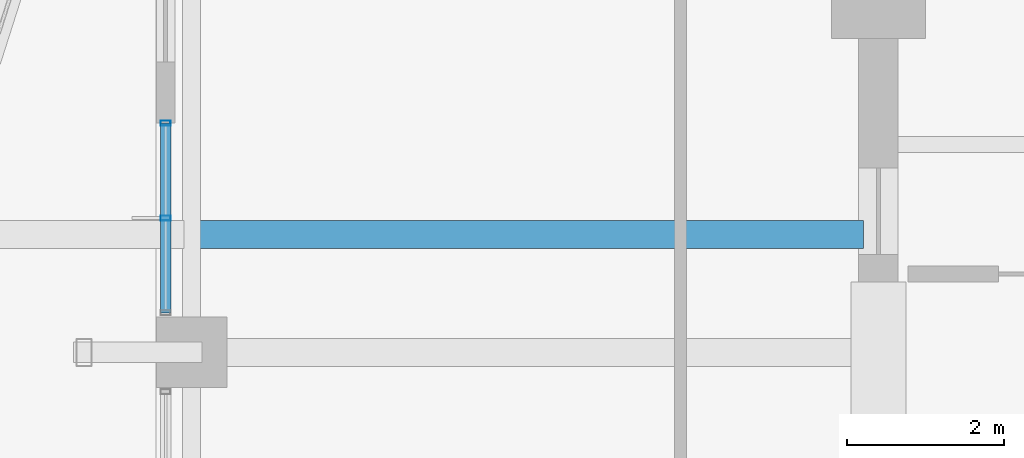
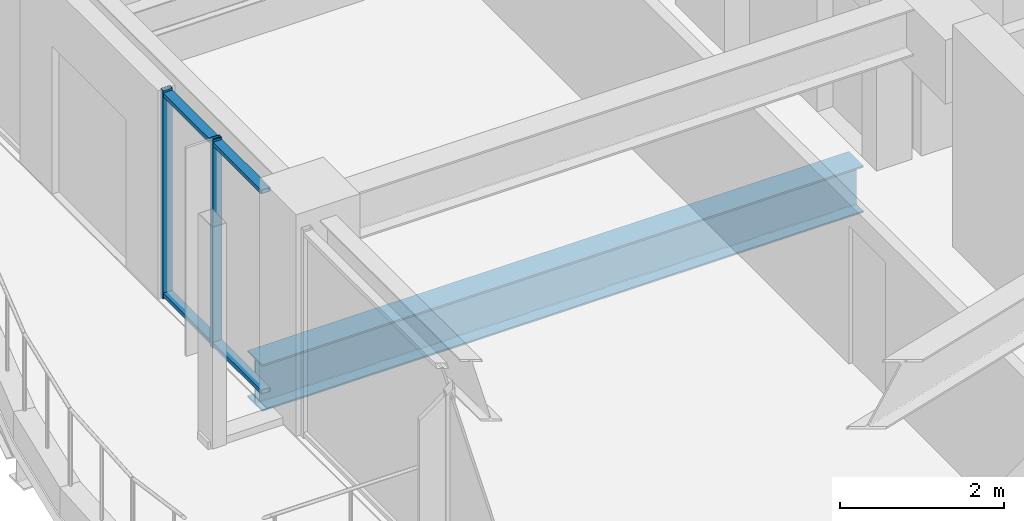
# One storey, part 9 of 35: 4 members, 1 beam, 1 element without a shape of its own.
"""IFC4 building model written with IfcOpenShell, lengths in metres."""

from ifc_helpers import new_model, si_unit, direction, frame, origin, origin_2d, place, context, subcontext, project, spatial, hollow_rectangle, i_section, extrude, material, material_profile, profile_set, type_object, element, aggregate, save


model = new_model("IFC4")

# Units and contexts
model_context = context("Model", 3, precision=1e-05, world=origin(), true_north=direction((0.0, 1.0)))
body_context = subcontext(model_context, "Body", "Model", "MODEL_VIEW")
ifc_project = project(units=[si_unit("LENGTHUNIT", "METRE"), si_unit("AREAUNIT", "SQUARE_METRE"), si_unit("VOLUMEUNIT", "CUBIC_METRE"), si_unit("PLANEANGLEUNIT", "RADIAN"), si_unit("MASSUNIT", "GRAM", prefix="KILO")], contexts=[model_context])

# Site, building, storey
site_placement = place(None, origin())
site = spatial("IfcSite", under=ifc_project, at=site_placement, CompositionType="ELEMENT")
building_placement = place(site_placement, origin())
building = spatial("IfcBuilding", under=site, at=building_placement, Name="Kolvaren Belvedere", CompositionType="ELEMENT")
storey_placement = place(building_placement, frame((0.0, 0.0, 163.5)))
storey = spatial("IfcBuildingStorey", under=building, at=storey_placement, Name="L47", CompositionType="ELEMENT", Elevation=163.5)

# Beam
ifc_material_1 = material(Name="Structural steel ASTM A992 Grade 50", Category="steel")
ifc_material_profile_1 = material_profile(ifc_material_1, i_section(OverallWidth=0.35498046875, OverallDepth=0.696044921875, WebThickness=0.015380859375, FlangeThickness=0.02490234375, FilletRadius=0.02197265625, at=origin_2d()), Name="W27X146")
ifc_profile_set_1 = profile_set([ifc_material_profile_1], Name="Structural steel ASTM A992 Grade 50")
beam_type = type_object("IfcBeamType", Name="BM-GIRD-W27X146", PredefinedType="BEAM", material=ifc_profile_set_1)
beam_placement = place(storey_placement, frame((-10.090087890625, -3.10009765625, -0.548095703125), z_axis=(-1.0, 0.0, 0.0), x_axis=(0.0, -1.0, 0.0)))
element("IfcBeam", 1, at=beam_placement, inside=storey, type_object=beam_type, Name="L47 Balcony Interior Back-Span Girder BAL-W-1", PredefinedType="BEAM", context=body_context, shape_type="SweptSolid", body=[
    extrude(i_section(OverallWidth=0.35498046875, OverallDepth=0.696044921875, WebThickness=0.015380859375, FlangeThickness=0.02490234375, FilletRadius=0.02197265625, at=origin_2d()), origin(), (0.0, 0.0, 1.0), 8.46484375),
])

# Curtain wall, members
ifc_material_2 = material(Name="Anodised pale-metal aluminium AA 6063-T6", Category="aluminium")
curtain_wall_type = type_object("IfcCurtainWallType", Name="CW-Z3-WAIST", PredefinedType="NOTDEFINED", material=ifc_material_2)
curtain_wall_placement = place(storey_placement, origin())
curtain_wall = element("IfcCurtainWall", 2, at=curtain_wall_placement, inside=storey, type_object=curtain_wall_type, Name="L47 Unitised Curtain Wall FCW-L47-W1-B2", PredefinedType="NOTDEFINED")
ifc_material_3 = material(Name="Anodised pale-metal aluminium AA 6063-T6", Category="aluminium")
ifc_material_profile_2 = material_profile(ifc_material_3, hollow_rectangle(XDim=0.06494140625, YDim=0.1298828125, WallThickness=0.00390625, at=origin_2d()), Name="ALU-MUL-130X65")
ifc_profile_set_2 = profile_set([ifc_material_profile_2], Name="Anodised pale-metal aluminium AA 6063-T6")
member_type_1 = type_object("IfcMemberType", Name="CW-MUL-130", PredefinedType="MULLION", material=ifc_profile_set_2)
member_1_placement = place(storey_placement, frame((-18.97998046875, -2.888671875, 0.0), z_axis=(0.0, 0.0, 1.0), x_axis=(0.0, 1.0, 0.0)))
member_1 = element("IfcMember", 3, at=member_1_placement, type_object=member_type_1, Name="FCW-L47-W1-B2 Unitised Mullion 2", PredefinedType="MULLION", context=body_context, shape_type="SweptSolid", body=[
    extrude(hollow_rectangle(XDim=0.06494140625, YDim=0.1298828125, WallThickness=0.00390625, at=origin_2d()), origin(), (0.0, 0.0, 1.0), 3.10009765625),
])
member_2_placement = place(storey_placement, frame((-18.97998046875, -1.679931640625, 0.0), z_axis=(0.0, 0.0, 1.0), x_axis=(0.0, 1.0, 0.0)))
member_2 = element("IfcMember", 4, at=member_2_placement, type_object=member_type_1, Name="FCW-L47-W1-B2 Unitised Mullion 3", PredefinedType="MULLION", context=body_context, shape_type="SweptSolid", body=[
    extrude(hollow_rectangle(XDim=0.06494140625, YDim=0.1298828125, WallThickness=0.00390625, at=origin_2d()), origin(), (0.0, 0.0, 1.0), 3.10009765625),
])
ifc_material_4 = material(Name="Anodised pale-metal aluminium AA 6063-T6", Category="aluminium")
ifc_material_profile_3 = material_profile(ifc_material_4, hollow_rectangle(XDim=0.06005859375, YDim=0.1298828125, WallThickness=0.00390625, at=origin_2d()), Name="ALU-TRN-130X60")
ifc_profile_set_3 = profile_set([ifc_material_profile_3], Name="Anodised pale-metal aluminium AA 6063-T6")
member_type_2 = type_object("IfcMemberType", Name="CW-TRN-130", PredefinedType="USERDEFINED", material=ifc_profile_set_3)
member_3_placement = place(storey_placement, frame((-18.97998046875, -4.097412109375, 0.06005859375), z_axis=(0.0, 1.0, 0.0), x_axis=(0.0, 0.0, 1.0)))
member_3 = element("IfcMember", 5, at=member_3_placement, type_object=member_type_2, Name="FCW-L47-W1-B2 Sill Transom", ObjectType="TRANSOM", PredefinedType="USERDEFINED", context=body_context, shape_type="SweptSolid", body=[
    extrude(hollow_rectangle(XDim=0.06005859375, YDim=0.1298828125, WallThickness=0.00390625, at=origin_2d()), origin(), (0.0, 0.0, 1.0), 2.41748046875),
])
member_4_placement = place(storey_placement, frame((-18.97998046875, -4.097412109375, 3.0400390625), z_axis=(0.0, 1.0, 0.0), x_axis=(0.0, 0.0, 1.0)))
member_4 = element("IfcMember", 6, at=member_4_placement, type_object=member_type_2, Name="FCW-L47-W1-B2 Head Transom", ObjectType="TRANSOM", PredefinedType="USERDEFINED", context=body_context, shape_type="SweptSolid", body=[
    extrude(hollow_rectangle(XDim=0.06005859375, YDim=0.1298828125, WallThickness=0.00390625, at=origin_2d()), origin(), (0.0, 0.0, 1.0), 2.41748046875),
])
aggregate(curtain_wall, [member_1, member_2, member_3, member_4])

save(model, "model.ifc")
